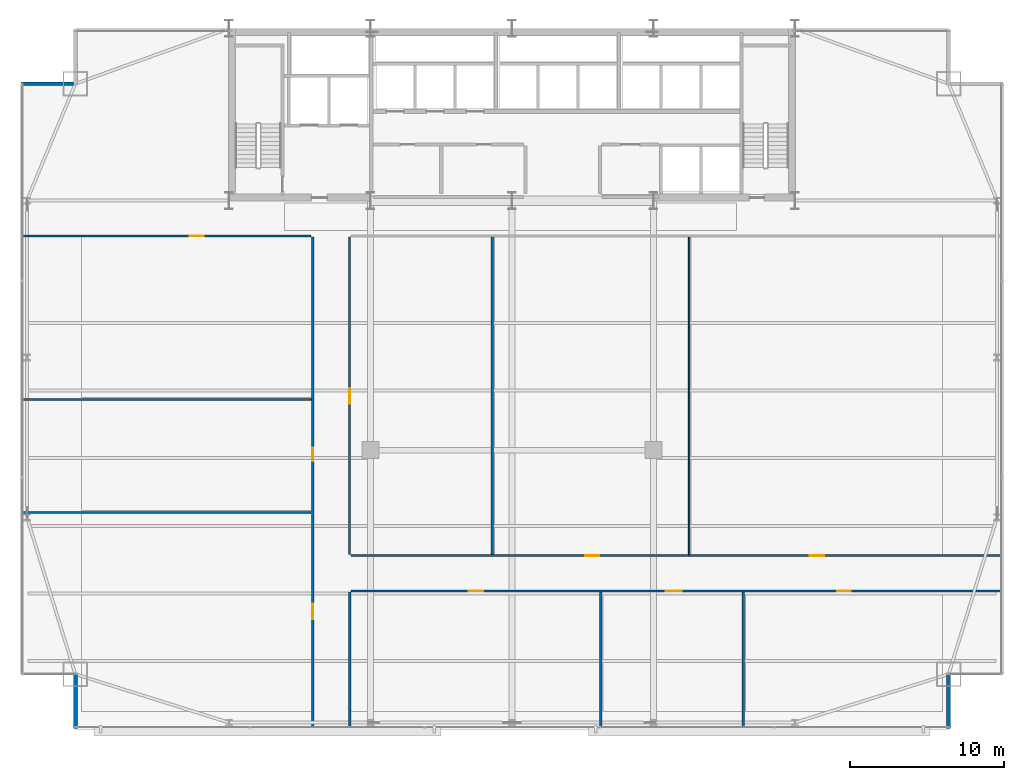
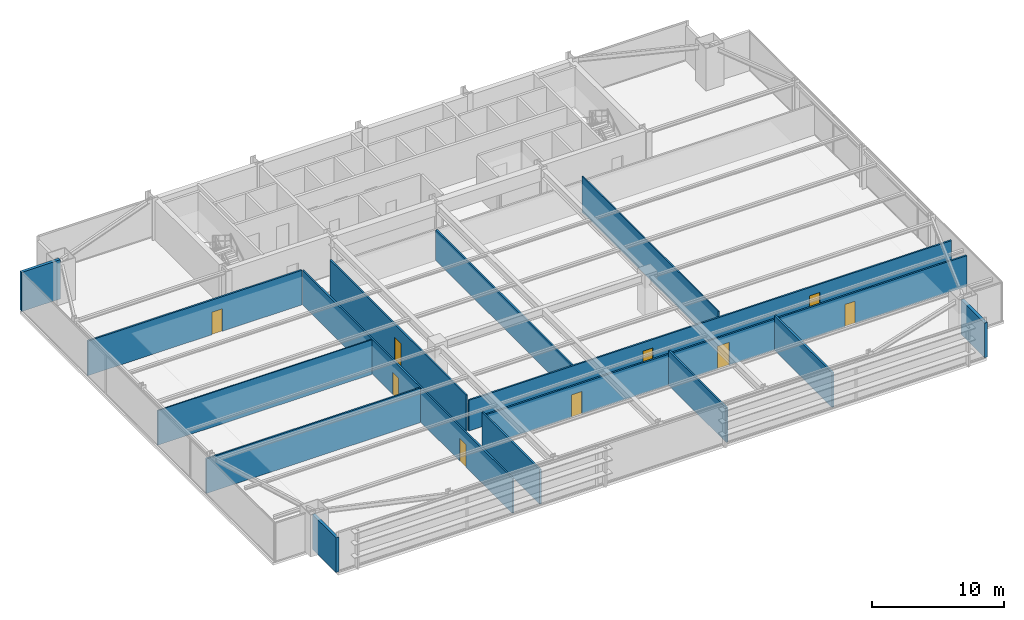
# One storey, part 28 of 32: 15 walls, 9 doors, 9 openings.
"""IFC4 building model written with IfcOpenShell, lengths in metres."""

from ifc_helpers import new_model, si_unit, direction, frame, frame_2d, origin, place, context, subcontext, project, spatial, rectangle, extrude, source, transform, mapped, material, layer, layer_set, type_object, type_shapes, element, fill, save


model = new_model("IFC4")

# Units and contexts
model_context = context("Model", 3, precision=1e-05, world=origin(), true_north=direction((0.0, 1.0)))
body_context = subcontext(model_context, "Body", "Model", "MODEL_VIEW")
ifc_project = project(units=[si_unit("LENGTHUNIT", "METRE"), si_unit("AREAUNIT", "SQUARE_METRE"), si_unit("VOLUMEUNIT", "CUBIC_METRE"), si_unit("PLANEANGLEUNIT", "RADIAN"), si_unit("MASSUNIT", "GRAM", prefix="KILO")], contexts=[model_context])

# Site, building, storey
site_placement = place(None, origin())
site = spatial("IfcSite", under=ifc_project, at=site_placement, CompositionType="ELEMENT")
building_placement = place(site_placement, origin())
building = spatial("IfcBuilding", under=site, at=building_placement, Name="Varnel Quay Broadcast Tower", CompositionType="ELEMENT")
storey_placement = place(building_placement, frame((0.0, 0.0, 54.89990234375)))
storey = spatial("IfcBuildingStorey", under=building, at=storey_placement, Name="L12", CompositionType="ELEMENT", Elevation=54.89990234375)

# Walls
ifc_material_1 = material(Name="Precast Architectural Concrete C40/50", Category="concrete")
ifc_layer_1 = layer(ifc_material_1, 0.25, Name="Precast Architectural Concrete C40/50")
ifc_layer_set_1 = layer_set([ifc_layer_1], Name="Precast Architectural Concrete C40/50")
wall_type_1 = type_object("IfcWallType", Name="Wall_ExtTerrace250", PredefinedType="SOLIDWALL", material=ifc_layer_set_1)
for number, where, z_axis, x_axis, name in (
    (1, (5.60009765625, 1.280029296875, 0.0), (0.0, 0.0, 1.0), (0.0, 1.0, 0.0), "L12 Mega-Column Notch Cladding Wall NSW2"),
    (2, (62.39990234375, 1.280029296875, 0.0), (0.0, 0.0, 1.0), (0.0, 1.0, 0.0), "L12 Mega-Column Notch Cladding Wall NSE2"),
):
    element("IfcWall", number, at=place(storey_placement, frame(where, z_axis=z_axis, x_axis=x_axis)), inside=storey, type_object=wall_type_1, Name=name, PredefinedType="SOLIDWALL", context=body_context, shape_type="SweptSolid", body=[
        extrude(rectangle(XDim=3.599853515625, YDim=0.25, at=frame_2d((1.7998046875, 0.0))), origin(), (0.0, 0.0, 1.0), 3.2080078125),
    ])
wall_1_placement = place(storey_placement, frame((2.080078125, 43.199951171875, 0.0), z_axis=(0.0, 0.0, 1.0), x_axis=(1.0, 0.0, 0.0)))
element("IfcWall", 3, at=wall_1_placement, inside=storey, type_object=wall_type_1, Name="L12 Mega-Column Notch Cladding Wall NNW1", PredefinedType="SOLIDWALL", context=body_context, shape_type="SweptSolid", body=[
    extrude(rectangle(XDim=3.389892578125, YDim=0.25, at=frame_2d((1.69482421875, 0.0))), origin(), (0.0, 0.0, 1.0), 3.630126953125),
])
ifc_material_2 = material(Name="Steel-Stud Fire-Rated Acoustic Gypsum Partition Assembly", Category="steel")
ifc_layer_2 = layer(ifc_material_2, 0.10498046875, Name="Steel-Stud Fire-Rated Acoustic Gypsum Partition Assembly")
ifc_layer_set_2 = layer_set([ifc_layer_2], Name="Steel-Stud Fire-Rated Acoustic Gypsum Partition Assembly")
wall_type_2 = type_object("IfcWallType", Name="Wall_Partition105", PredefinedType="PARTITIONING", material=ifc_layer_set_2)
wall_2_placement = place(storey_placement, frame((2.179931640625, 22.669921875, 0.0), z_axis=(0.0, 0.0, 1.0), x_axis=(1.0, 0.0, 0.0)))
element("IfcWall", 4, at=wall_2_placement, inside=storey, type_object=wall_type_2, Name="L12 Camera Locker Store 2 Partition 10", PredefinedType="PARTITIONING", context=body_context, shape_type="SweptSolid", body=[
    extrude(rectangle(XDim=18.760009765625, YDim=0.10498046875, at=frame_2d((9.3798828125, 0.0))), origin(), (0.0, 0.0, 1.0), 3.2080078125),
])
wall_3_placement = place(storey_placement, frame((45.52001953125, 12.580078125, 0.0), z_axis=(0.0, 0.0, 1.0), x_axis=(0.0, 1.0, 0.0)))
element("IfcWall", 5, at=wall_3_placement, inside=storey, type_object=wall_type_2, Name="L12 Camera Locker Store 8 Partition 20", PredefinedType="PARTITIONING", context=body_context, shape_type="SweptSolid", body=[
    extrude(rectangle(XDim=20.64990234375, YDim=0.10498046875, at=frame_2d((10.324951171875, 0.0))), origin(), (0.0, 0.0, 1.0), 3.322021484375),
])

# Wall, openings, doors
ifc_layer_3 = layer(ifc_material_2, 0.139892578125, Name="Steel-Stud Fire-Rated Acoustic Gypsum Partition Assembly")
ifc_layer_set_3 = layer_set([ifc_layer_3], Name="Steel-Stud Fire-Rated Acoustic Gypsum Partition Assembly")
wall_type_3 = type_object("IfcWallType", Name="Wall_Partition140", PredefinedType="PARTITIONING", material=ifc_layer_set_3)
wall_4_placement = place(storey_placement, frame((21.0400390625, 1.3798828125, 0.0), z_axis=(0.0, 0.0, 1.0), x_axis=(0.0, 1.0, 0.0)))
wall_4 = element("IfcWall", 6, at=wall_4_placement, inside=storey, type_object=wall_type_3, Name="L12 Press Green Lounge 1 Partition 8", PredefinedType="PARTITIONING", context=body_context, shape_type="SweptSolid", body=[
    extrude(rectangle(XDim=31.84521484375, YDim=0.139892578125, at=frame_2d((15.922607421875, 0.0))), origin(), (0.0, 0.0, 1.0), 3.2080078125),
])
opening_1_placement = place(wall_4_placement, frame((7.0, 0.0, 0.0)))
opening_1 = element("IfcOpeningElement", 7, at=opening_1_placement, cuts=wall_4, Name="Opening D-L12-04", PredefinedType="OPENING", context=body_context, shape_type="SweptSolid", body=[
    extrude(rectangle(XDim=1.0, YDim=2.10009765625, at=frame_2d((0.5, 1.050048828125))), frame((0.0, 0.080078125, 0.0), z_axis=(0.0, -1.0, 0.0), x_axis=(1.0, 0.0, 0.0)), (0.0, 0.0, 1.0), 0.159912109375),
])
opening_2_placement = place(wall_4_placement, frame((17.27490234375, 0.0, 0.0)))
opening_2 = element("IfcOpeningElement", 8, at=opening_2_placement, cuts=wall_4, Name="Opening D-L12-05", PredefinedType="OPENING", context=body_context, shape_type="SweptSolid", body=[
    extrude(rectangle(XDim=0.8798828125, YDim=2.06005859375, at=frame_2d((0.43994140625, 1.030029296875))), frame((0.0, 0.080078125, 0.0), z_axis=(0.0, -1.0, 0.0), x_axis=(1.0, 0.0, 0.0)), (0.0, 0.0, 1.0), 0.159912109375),
])
ifc_material_3 = material(Name="Solid-Core Fire-Rated Acoustic Oak Veneer Door", Category="wood")
door_type_1 = type_object("IfcDoorType", Name="Door_Booth880", OperationType="NOTDEFINED", PredefinedType="DOOR", material=ifc_material_3)
shared_shape_1 = source(origin(), body_context, "Body", "SweptSolid", [
    extrude(rectangle(XDim=0.8798828125, YDim=2.06005859375, at=frame_2d((0.43994140625, 1.030029296875))), frame((0.0, 0.02490234375, 0.0), z_axis=(0.0, -1.0, 0.0), x_axis=(1.0, 0.0, 0.0)), (0.0, 0.0, 1.0), 0.050048828125),
])
type_shapes(door_type_1, [shared_shape_1])
door_1_placement = place(opening_2_placement, origin())
door_1 = element("IfcDoor", 9, at=door_1_placement, inside=storey, type_object=door_type_1, Name="L12 Camera Locker Store 2 Door D-L12-05", OperationType="SINGLE_SWING_RIGHT", OverallHeight=2.06005859375, OverallWidth=0.8798828125, PredefinedType="DOOR", context=body_context, shape_type="MappedRepresentation", body=[
    mapped(shared_shape_1, transform((0.0, 0.0, 0.0), x_axis=(1.0, 0.0, 0.0), y_axis=(0.0, 1.0, 0.0), z_axis=(0.0, 0.0, 1.0), scale=1.0)),
])
fill(opening_2, door_1)
door_type_2 = type_object("IfcDoorType", Name="Door_Exec1000", OperationType="NOTDEFINED", PredefinedType="DOOR", material=ifc_material_3)
shared_shape_2 = source(origin(), body_context, "Body", "SweptSolid", [
    extrude(rectangle(XDim=1.0, YDim=2.10009765625, at=frame_2d((0.5, 1.050048828125))), frame((0.0, 0.02490234375, 0.0), z_axis=(0.0, -1.0, 0.0), x_axis=(1.0, 0.0, 0.0)), (0.0, 0.0, 1.0), 0.050048828125),
])
type_shapes(door_type_2, [shared_shape_2])
door_2_placement = place(opening_1_placement, origin())
door_2 = element("IfcDoor", 10, at=door_2_placement, inside=storey, type_object=door_type_2, Name="L12 Press Green Lounge 1 Door D-L12-04", OperationType="SINGLE_SWING_LEFT", OverallHeight=2.10009765625, OverallWidth=1.0, PredefinedType="DOOR", context=body_context, shape_type="MappedRepresentation", body=[
    mapped(shared_shape_2, transform((0.0, 0.0, 0.0), x_axis=(1.0, 0.0, 0.0), y_axis=(0.0, 1.0, 0.0), z_axis=(0.0, 0.0, 1.0), scale=1.0)),
])
fill(opening_1, door_2)

# Wall
wall_5_placement = place(storey_placement, frame((2.179931640625, 15.320068359375, 0.0), z_axis=(0.0, 0.0, 1.0), x_axis=(1.0, 0.0, 0.0)))
element("IfcWall", 11, at=wall_5_placement, inside=storey, type_object=wall_type_3, Name="L12 Press Green Lounge 1 Partition 9", PredefinedType="PARTITIONING", context=body_context, shape_type="SweptSolid", body=[
    extrude(rectangle(XDim=18.760009765625, YDim=0.139892578125, at=frame_2d((9.3798828125, 0.0))), origin(), (0.0, 0.0, 1.0), 3.2080078125),
])

# Wall, openings, doors
wall_6_placement = place(storey_placement, frame((23.5400390625, 12.510009765625, 0.0), z_axis=(0.0, 0.0, 1.0), x_axis=(1.0, 0.0, 0.0)))
wall_6 = element("IfcWall", 12, at=wall_6_placement, inside=storey, type_object=wall_type_3, Name="L12 Press Green Lounge 7 Partition 16", PredefinedType="PARTITIONING", context=body_context, shape_type="SweptSolid", body=[
    extrude(rectangle(XDim=42.280029296875, YDim=0.139892578125, at=frame_2d((21.14013671875, 0.0))), origin(), (0.0, 0.0, 1.0), 2.85205078125),
])
opening_3_placement = place(wall_6_placement, frame((15.239990234375, 0.0, 0.0)))
opening_3 = element("IfcOpeningElement", 13, at=opening_3_placement, cuts=wall_6, Name="Opening D-L12-11", PredefinedType="OPENING", context=body_context, shape_type="SweptSolid", body=[
    extrude(rectangle(XDim=0.8798828125, YDim=2.06005859375, at=frame_2d((0.43994140625, 1.030029296875))), frame((0.0, 0.080078125, 0.0), z_axis=(0.0, -1.0, 0.0), x_axis=(1.0, 0.0, 0.0)), (0.0, 0.0, 1.0), 0.159912109375),
])
opening_4_placement = place(wall_6_placement, frame((29.8349609375, 0.0, 0.0)))
opening_4 = element("IfcOpeningElement", 14, at=opening_4_placement, cuts=wall_6, Name="Opening D-L12-12", PredefinedType="OPENING", context=body_context, shape_type="SweptSolid", body=[
    extrude(rectangle(XDim=0.919921875, YDim=2.080078125, at=frame_2d((0.4599609375, 1.0400390625))), frame((0.0, 0.080078125, 0.0), z_axis=(0.0, -1.0, 0.0), x_axis=(1.0, 0.0, 0.0)), (0.0, 0.0, 1.0), 0.159912109375),
])
door_3_placement = place(opening_3_placement, origin())
door_3 = element("IfcDoor", 15, at=door_3_placement, inside=storey, type_object=door_type_1, Name="L12 Camera Locker Store 8 Door D-L12-11", OperationType="SINGLE_SWING_RIGHT", OverallHeight=2.06005859375, OverallWidth=0.8798828125, PredefinedType="DOOR", context=body_context, shape_type="MappedRepresentation", body=[
    mapped(shared_shape_1, transform((0.0, 0.0, 0.0), x_axis=(1.0, 0.0, 0.0), y_axis=(0.0, 1.0, 0.0), z_axis=(0.0, 0.0, 1.0), scale=1.0)),
])
fill(opening_3, door_3)
door_type_3 = type_object("IfcDoorType", Name="Door_Office920", OperationType="NOTDEFINED", PredefinedType="DOOR", material=ifc_material_3)
shared_shape_3 = source(origin(), body_context, "Body", "SweptSolid", [
    extrude(rectangle(XDim=0.919921875, YDim=2.080078125, at=frame_2d((0.4599609375, 1.0400390625))), frame((0.0, 0.02490234375, 0.0), z_axis=(0.0, -1.0, 0.0), x_axis=(1.0, 0.0, 0.0)), (0.0, 0.0, 1.0), 0.050048828125),
])
type_shapes(door_type_3, [shared_shape_3])
door_4_placement = place(opening_4_placement, origin())
door_4 = element("IfcDoor", 16, at=door_4_placement, inside=storey, type_object=door_type_3, Name="L12 Broadcast Newsroom 9 Door D-L12-12", OperationType="SINGLE_SWING_LEFT", OverallHeight=2.080078125, OverallWidth=0.919921875, PredefinedType="DOOR", context=body_context, shape_type="MappedRepresentation", body=[
    mapped(shared_shape_3, transform((0.0, 0.0, 0.0), x_axis=(1.0, 0.0, 0.0), y_axis=(0.0, 1.0, 0.0), z_axis=(0.0, 0.0, 1.0), scale=1.0)),
])
fill(opening_4, door_4)

# Wall
wall_7_placement = place(storey_placement, frame((32.719970703125, 12.580078125, 0.0), z_axis=(0.0, 0.0, 1.0), x_axis=(0.0, 1.0, 0.0)))
element("IfcWall", 17, at=wall_7_placement, inside=storey, type_object=wall_type_3, Name="L12 Press Green Lounge 7 Partition 17", PredefinedType="PARTITIONING", context=body_context, shape_type="SweptSolid", body=[
    extrude(rectangle(XDim=20.64990234375, YDim=0.139892578125, at=frame_2d((10.324951171875, 0.0))), origin(), (0.0, 0.0, 1.0), 2.85205078125),
])

# Wall, opening, door
wall_8_placement = place(storey_placement, frame((23.43994140625, 12.580078125, 0.0), z_axis=(0.0, 0.0, 1.0), x_axis=(0.0, 1.0, 0.0)))
wall_8 = element("IfcWall", 18, at=wall_8_placement, inside=storey, type_object=wall_type_3, Name="L12 Press Green Lounge 7 Partition 19", PredefinedType="PARTITIONING", context=body_context, shape_type="SweptSolid", body=[
    extrude(rectangle(XDim=20.64990234375, YDim=0.139892578125, at=frame_2d((10.324951171875, 0.0))), origin(), (0.0, 0.0, 1.0), 3.322021484375),
])
opening_5_placement = place(wall_8_placement, frame((9.824951171875, 0.0, 0.0)))
opening_5 = element("IfcOpeningElement", 19, at=opening_5_placement, cuts=wall_8, Name="Opening D-L12-10", PredefinedType="OPENING", context=body_context, shape_type="SweptSolid", body=[
    extrude(rectangle(XDim=1.0, YDim=2.10009765625, at=frame_2d((0.5, 1.050048828125))), frame((0.0, 0.080078125, 0.0), z_axis=(0.0, -1.0, 0.0), x_axis=(1.0, 0.0, 0.0)), (0.0, 0.0, 1.0), 0.159912109375),
])
door_5_placement = place(opening_5_placement, frame((1.0, 0.0, 0.0), z_axis=(0.0, 0.0, 1.0), x_axis=(-1.0, 0.0, 0.0)))
door_5 = element("IfcDoor", 20, at=door_5_placement, inside=storey, type_object=door_type_2, Name="L12 Press Green Lounge 7 Door D-L12-10", OperationType="SINGLE_SWING_LEFT", OverallHeight=2.10009765625, OverallWidth=1.0, PredefinedType="DOOR", context=body_context, shape_type="MappedRepresentation", body=[
    mapped(shared_shape_2, transform((0.0, 0.0, 0.0), x_axis=(1.0, 0.0, 0.0), y_axis=(0.0, 1.0, 0.0), z_axis=(0.0, 0.0, 1.0), scale=1.0)),
])
fill(opening_5, door_5)

ifc_layer_4 = layer(ifc_material_2, 0.14990234375, Name="Steel-Stud Fire-Rated Acoustic Gypsum Partition Assembly")
ifc_layer_set_4 = layer_set([ifc_layer_4], Name="Steel-Stud Fire-Rated Acoustic Gypsum Partition Assembly")
wall_type_4 = type_object("IfcWallType", Name="Wall_Partition150", PredefinedType="PARTITIONING", material=ifc_layer_set_4)
wall_9_placement = place(storey_placement, frame((2.179931640625, 33.300048828125, 0.0), z_axis=(0.0, 0.0, 1.0), x_axis=(1.0, 0.0, 0.0)))
wall_9 = element("IfcWall", 21, at=wall_9_placement, inside=storey, type_object=wall_type_4, Name="L12 Broadcast Newsroom 3 Partition 11", PredefinedType="PARTITIONING", context=body_context, shape_type="SweptSolid", body=[
    extrude(rectangle(XDim=18.760009765625, YDim=0.14990234375, at=frame_2d((9.3798828125, 0.0))), origin(), (0.0, 0.0, 1.0), 3.2080078125),
])
opening_6_placement = place(wall_9_placement, frame((10.85498046875, 0.0, 0.0)))
opening_6 = element("IfcOpeningElement", 22, at=opening_6_placement, cuts=wall_9, Name="Opening D-L12-06", PredefinedType="OPENING", context=body_context, shape_type="SweptSolid", body=[
    extrude(rectangle(XDim=0.919921875, YDim=2.080078125, at=frame_2d((0.4599609375, 1.0400390625))), frame((0.0, 0.0849609375, 0.0), z_axis=(0.0, -1.0, 0.0), x_axis=(1.0, 0.0, 0.0)), (0.0, 0.0, 1.0), 0.169921875),
])
door_6_placement = place(opening_6_placement, frame((0.919921875, 0.0, 0.0), z_axis=(0.0, 0.0, 1.0), x_axis=(-1.0, 0.0, 0.0)))
door_6 = element("IfcDoor", 23, at=door_6_placement, inside=storey, type_object=door_type_3, Name="L12 Broadcast Newsroom 3 Door D-L12-06", OperationType="SINGLE_SWING_LEFT", OverallHeight=2.080078125, OverallWidth=0.919921875, PredefinedType="DOOR", context=body_context, shape_type="MappedRepresentation", body=[
    mapped(shared_shape_3, transform((0.0, 0.0, 0.0), x_axis=(1.0, 0.0, 0.0), y_axis=(0.0, 1.0, 0.0), z_axis=(0.0, 0.0, 1.0), scale=1.0)),
])
fill(opening_6, door_6)

# Wall
wall_10_placement = place(storey_placement, frame((39.77001953125, 1.3798828125, 0.0), z_axis=(0.0, 0.0, 1.0), x_axis=(0.0, 1.0, 0.0)))
element("IfcWall", 24, at=wall_10_placement, inside=storey, type_object=wall_type_4, Name="L12 Assignment Desk 4 Partition 12", PredefinedType="PARTITIONING", context=body_context, shape_type="SweptSolid", body=[
    extrude(rectangle(XDim=8.755126953125, YDim=0.14990234375, at=frame_2d((4.37744140625, 0.0))), origin(), (0.0, 0.0, 1.0), 3.2080078125),
])

# Wall, openings, doors
wall_11_placement = place(storey_placement, frame((23.5400390625, 10.2099609375, 0.0), z_axis=(0.0, 0.0, 1.0), x_axis=(1.0, 0.0, 0.0)))
wall_11 = element("IfcWall", 25, at=wall_11_placement, inside=storey, type_object=wall_type_4, Name="L12 Assignment Desk 4 Partition 13", PredefinedType="PARTITIONING", context=body_context, shape_type="SweptSolid", body=[
    extrude(rectangle(XDim=42.280029296875, YDim=0.14990234375, at=frame_2d((21.14013671875, 0.0))), origin(), (0.0, 0.0, 1.0), 2.85205078125),
])
opening_7_placement = place(wall_11_placement, frame((7.655029296875, 0.0, 0.0)))
opening_7 = element("IfcOpeningElement", 26, at=opening_7_placement, cuts=wall_11, Name="Opening D-L12-07", PredefinedType="OPENING", context=body_context, shape_type="SweptSolid", body=[
    extrude(rectangle(XDim=0.919921875, YDim=2.080078125, at=frame_2d((0.4599609375, 1.0400390625))), frame((0.0, 0.0849609375, 0.0), z_axis=(0.0, -1.0, 0.0), x_axis=(1.0, 0.0, 0.0)), (0.0, 0.0, 1.0), 0.169921875),
])
opening_8_placement = place(wall_11_placement, frame((20.445068359375, 0.0, 0.0)))
opening_8 = element("IfcOpeningElement", 27, at=opening_8_placement, cuts=wall_11, Name="Opening D-L12-08", PredefinedType="OPENING", context=body_context, shape_type="SweptSolid", body=[
    extrude(rectangle(XDim=1.050048828125, YDim=2.10009765625, at=frame_2d((0.52490234375, 1.050048828125))), frame((0.0, 0.0849609375, 0.0), z_axis=(0.0, -1.0, 0.0), x_axis=(1.0, 0.0, 0.0)), (0.0, 0.0, 1.0), 0.169921875),
])
opening_9_placement = place(wall_11_placement, frame((31.6201171875, 0.0, 0.0)))
opening_9 = element("IfcOpeningElement", 28, at=opening_9_placement, cuts=wall_11, Name="Opening D-L12-09", PredefinedType="OPENING", context=body_context, shape_type="SweptSolid", body=[
    extrude(rectangle(XDim=0.8798828125, YDim=2.06005859375, at=frame_2d((0.43994140625, 1.030029296875))), frame((0.0, 0.0849609375, 0.0), z_axis=(0.0, -1.0, 0.0), x_axis=(1.0, 0.0, 0.0)), (0.0, 0.0, 1.0), 0.169921875),
])
door_7_placement = place(opening_9_placement, frame((0.8798828125, 0.0, 0.0), z_axis=(0.0, 0.0, 1.0), x_axis=(-1.0, 0.0, 0.0)))
door_7 = element("IfcDoor", 29, at=door_7_placement, inside=storey, type_object=door_type_1, Name="L12 Break Kitchen 6 Door D-L12-09", OperationType="SINGLE_SWING_RIGHT", OverallHeight=2.06005859375, OverallWidth=0.8798828125, PredefinedType="DOOR", context=body_context, shape_type="MappedRepresentation", body=[
    mapped(shared_shape_1, transform((0.0, 0.0, 0.0), x_axis=(1.0, 0.0, 0.0), y_axis=(0.0, 1.0, 0.0), z_axis=(0.0, 0.0, 1.0), scale=1.0)),
])
fill(opening_9, door_7)
door_8_placement = place(opening_7_placement, frame((0.919921875, 0.0, 0.0), z_axis=(0.0, 0.0, 1.0), x_axis=(-1.0, 0.0, 0.0)))
door_8 = element("IfcDoor", 30, at=door_8_placement, inside=storey, type_object=door_type_3, Name="L12 Assignment Desk 4 Door D-L12-07", OperationType="SINGLE_SWING_RIGHT", OverallHeight=2.080078125, OverallWidth=0.919921875, PredefinedType="DOOR", context=body_context, shape_type="MappedRepresentation", body=[
    mapped(shared_shape_3, transform((0.0, 0.0, 0.0), x_axis=(1.0, 0.0, 0.0), y_axis=(0.0, 1.0, 0.0), z_axis=(0.0, 0.0, 1.0), scale=1.0)),
])
fill(opening_7, door_8)
door_type_4 = type_object("IfcDoorType", Name="Door_Meeting1050", OperationType="NOTDEFINED", PredefinedType="DOOR", material=ifc_material_3)
shared_shape_4 = source(origin(), body_context, "Body", "SweptSolid", [
    extrude(rectangle(XDim=1.050048828125, YDim=2.10009765625, at=frame_2d((0.52490234375, 1.050048828125))), frame((0.0, 0.02490234375, 0.0), z_axis=(0.0, -1.0, 0.0), x_axis=(1.0, 0.0, 0.0)), (0.0, 0.0, 1.0), 0.050048828125),
])
type_shapes(door_type_4, [shared_shape_4])
door_9_placement = place(opening_8_placement, frame((1.050048828125, 0.0, 0.0), z_axis=(0.0, 0.0, 1.0), x_axis=(-1.0, 0.0, 0.0)))
door_9 = element("IfcDoor", 31, at=door_9_placement, inside=storey, type_object=door_type_4, Name="L12 Editorial Boardroom 5 Door D-L12-08", OperationType="SINGLE_SWING_LEFT", OverallHeight=2.10009765625, OverallWidth=1.050048828125, PredefinedType="DOOR", context=body_context, shape_type="MappedRepresentation", body=[
    mapped(shared_shape_4, transform((0.0, 0.0, 0.0), x_axis=(1.0, 0.0, 0.0), y_axis=(0.0, 1.0, 0.0), z_axis=(0.0, 0.0, 1.0), scale=1.0)),
])
fill(opening_8, door_9)

# Walls
wall_12_placement = place(storey_placement, frame((23.43994140625, 1.3798828125, 0.0), z_axis=(0.0, 0.0, 1.0), x_axis=(0.0, 1.0, 0.0)))
element("IfcWall", 32, at=wall_12_placement, inside=storey, type_object=wall_type_4, Name="L12 Assignment Desk 4 Partition 14", PredefinedType="PARTITIONING", context=body_context, shape_type="SweptSolid", body=[
    extrude(rectangle(XDim=8.755126953125, YDim=0.14990234375, at=frame_2d((4.37744140625, 0.0))), origin(), (0.0, 0.0, 1.0), 3.2080078125),
])
ifc_layer_5 = layer(ifc_material_2, 0.175048828125, Name="Steel-Stud Fire-Rated Acoustic Gypsum Partition Assembly")
ifc_layer_set_5 = layer_set([ifc_layer_5], Name="Steel-Stud Fire-Rated Acoustic Gypsum Partition Assembly")
wall_type_5 = type_object("IfcWallType", Name="Wall_Partition175", PredefinedType="PARTITIONING", material=ifc_layer_set_5)
wall_13_placement = place(storey_placement, frame((49.050048828125, 1.3798828125, 0.0), z_axis=(0.0, 0.0, 1.0), x_axis=(0.0, 1.0, 0.0)))
element("IfcWall", 33, at=wall_13_placement, inside=storey, type_object=wall_type_5, Name="L12 Editorial Boardroom 5 Partition 15", PredefinedType="PARTITIONING", context=body_context, shape_type="SweptSolid", body=[
    extrude(rectangle(XDim=8.755126953125, YDim=0.175048828125, at=frame_2d((4.37744140625, 0.0))), origin(), (0.0, 0.0, 1.0), 3.2080078125),
])

save(model, "model.ifc")
